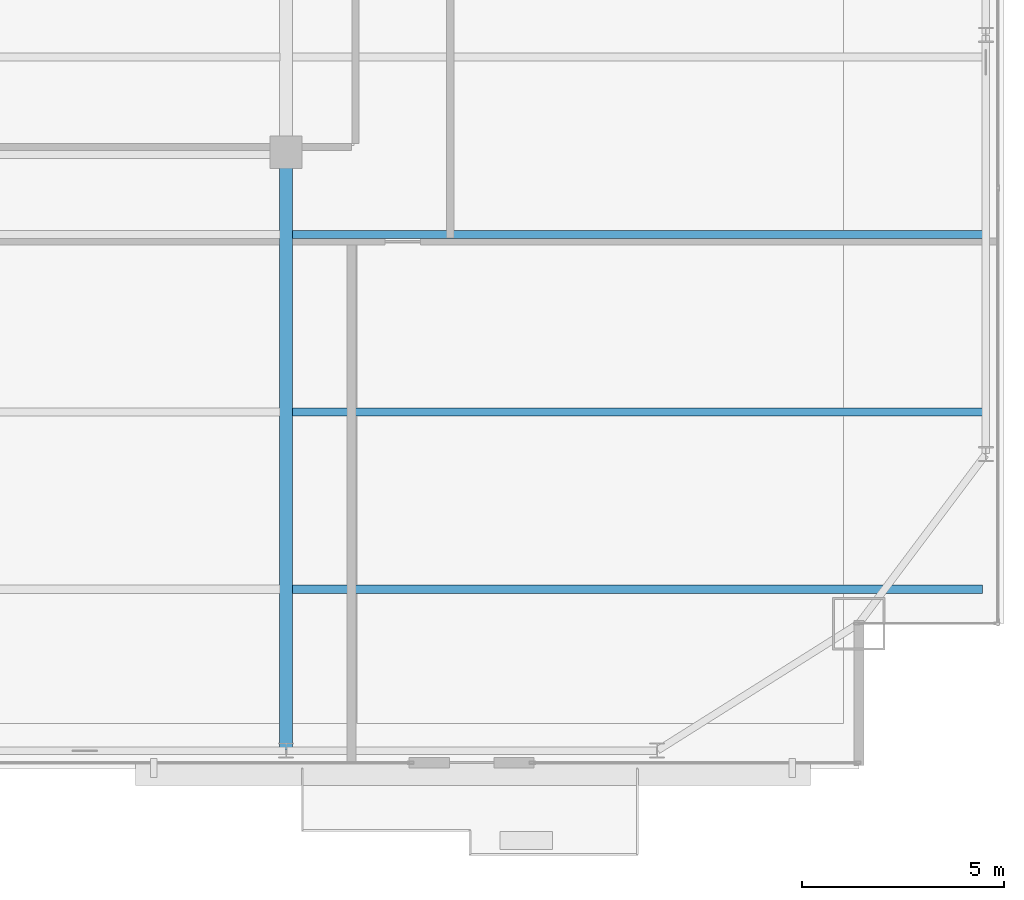
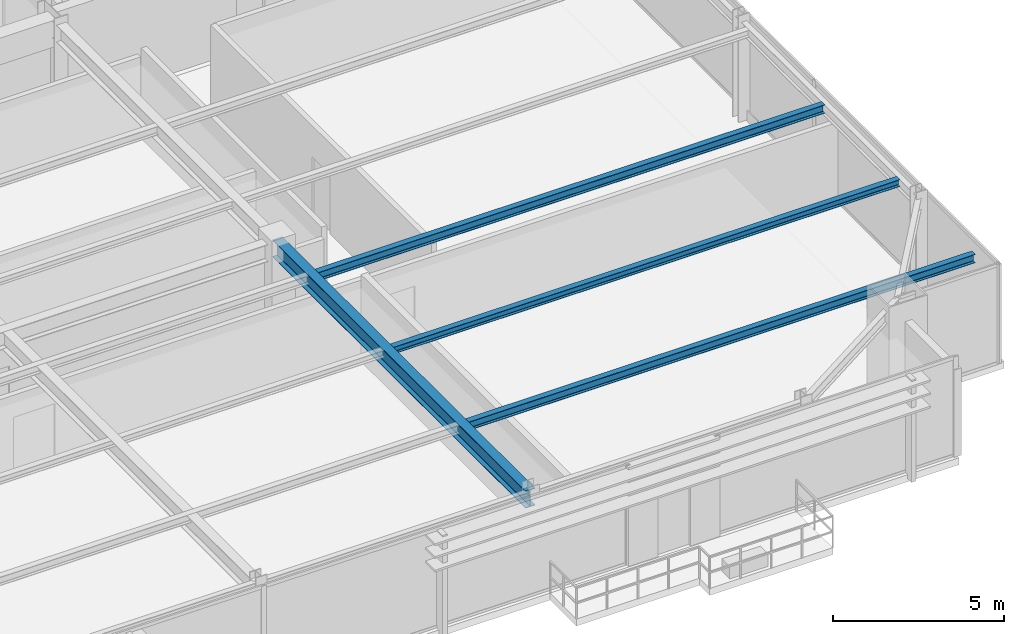
# One storey, part 15 of 31: 4 beams.
"""IFC4 building model written with IfcOpenShell, lengths in metres."""

from ifc_helpers import new_model, si_unit, direction, frame, origin, origin_2d, place, context, subcontext, project, spatial, i_section, extrude, source, transform, mapped, material, material_profile, profile_set, type_object, type_shapes, element, save


model = new_model("IFC4")

# Units and contexts
model_context = context("Model", 3, precision=1e-05, world=origin(), true_north=direction((0.0, 1.0)))
body_context = subcontext(model_context, "Body", "Model", "MODEL_VIEW")
ifc_project = project(units=[si_unit("LENGTHUNIT", "METRE"), si_unit("AREAUNIT", "SQUARE_METRE"), si_unit("VOLUMEUNIT", "CUBIC_METRE"), si_unit("PLANEANGLEUNIT", "RADIAN"), si_unit("MASSUNIT", "GRAM", prefix="KILO")], contexts=[model_context])

# Site, building, storey
site_placement = place(None, origin())
site = spatial("IfcSite", under=ifc_project, at=site_placement, CompositionType="ELEMENT")
building_placement = place(site_placement, origin())
building = spatial("IfcBuilding", under=site, at=building_placement, Name="Varnel Quay Broadcast Tower", CompositionType="ELEMENT")
storey_placement = place(building_placement, frame((0.0, 0.0, 153.39990234375)))
storey = spatial("IfcBuildingStorey", under=building, at=storey_placement, Name="L37", CompositionType="ELEMENT", Elevation=153.39990234375)

# Beams
ifc_material = material(Name="Structural Steel CSA G40.21 350W", Category="steel")
ifc_material_profile_1 = material_profile(ifc_material, i_section(OverallWidth=0.324951171875, OverallDepth=0.615966796875, WebThickness=0.013916015625, FlangeThickness=0.021484375, FilletRadius=0.01611328125, at=origin_2d()), Name="W610X174")
ifc_profile_set_1 = profile_set([ifc_material_profile_1], Name="Structural Steel CSA G40.21 350W")
beam_type_1 = type_object("IfcBeamType", Name="Girder_W610X174", PredefinedType="BEAM", material=ifc_profile_set_1)
shared_shape_1 = source(origin(), body_context, "Body", "SweptSolid", [
    extrude(i_section(OverallWidth=0.324951171875, OverallDepth=0.615966796875, WebThickness=0.013916015625, FlangeThickness=0.021484375, FilletRadius=0.01611328125, at=origin_2d()), origin(), (0.0, 0.0, 1.0), 14.800048828125),
])
type_shapes(beam_type_1, [shared_shape_1])
beam_1_placement = place(storey_placement, frame((43.199951171875, 7.669921875, 3.2421875), z_axis=(0.0, 1.0, 0.0), x_axis=(-1.0, 0.0, 0.0)))
element("IfcBeam", 1, at=beam_1_placement, inside=storey, type_object=beam_type_1, Name="L37 Primary Girder TC-S4-IC-02", PredefinedType="BEAM", context=body_context, shape_type="MappedRepresentation", body=[
    mapped(shared_shape_1, transform((0.0, 0.0, 0.0), x_axis=(1.0, 0.0, 0.0), y_axis=(0.0, 1.0, 0.0), z_axis=(0.0, 0.0, 1.0), scale=1.0)),
])
ifc_material_profile_2 = material_profile(ifc_material, i_section(OverallWidth=0.202880859375, OverallDepth=0.302978515625, WebThickness=0.007568359375, FlangeThickness=0.01318359375, FilletRadius=0.011962890625, at=origin_2d()), Name="W310X60")
ifc_profile_set_2 = profile_set([ifc_material_profile_2], Name="Structural Steel CSA G40.21 350W")
beam_type_2 = type_object("IfcBeamType", Name="Beam_W310X60", PredefinedType="JOIST", material=ifc_profile_set_2)
shared_shape_2 = source(origin(), body_context, "Body", "SweptSolid", [
    extrude(i_section(OverallWidth=0.202880859375, OverallDepth=0.302978515625, WebThickness=0.007568359375, FlangeThickness=0.01318359375, FilletRadius=0.011962890625, at=origin_2d()), origin(), (0.0, 0.0, 1.0), 17.107177734375),
])
type_shapes(beam_type_2, [shared_shape_2])
for number, where, z_axis, x_axis, name in (
    (2, (43.357421875, 11.64990234375, 3.398681640625), (1.0, 0.0, 0.0), (0.0, 1.0, 0.0), "L37 East Floor Joist 1"),
    (3, (43.357421875, 20.449951171875, 3.398681640625), (1.0, 0.0, 0.0), (0.0, 1.0, 0.0), "L37 East Floor Joist 3"),
):
    element("IfcBeam", number, at=place(storey_placement, frame(where, z_axis=z_axis, x_axis=x_axis)), inside=storey, type_object=beam_type_2, Name=name, PredefinedType="JOIST", context=body_context, shape_type="MappedRepresentation", body=[
        mapped(shared_shape_2, transform((0.0, 0.0, 0.0), x_axis=(1.0, 0.0, 0.0), y_axis=(0.0, 1.0, 0.0), z_axis=(0.0, 0.0, 1.0), scale=1.0)),
    ])
ifc_material_profile_3 = material_profile(ifc_material, i_section(OverallWidth=0.201904296875, OverallDepth=0.2470703125, WebThickness=0.00732421875, FlangeThickness=0.010986328125, FilletRadius=0.010986328125, at=origin_2d()), Name="W250X49")
ifc_profile_set_3 = profile_set([ifc_material_profile_3], Name="Structural Steel CSA G40.21 350W")
beam_type_3 = type_object("IfcBeamType", Name="Beam_W250X49", PredefinedType="JOIST", material=ifc_profile_set_3)
shared_shape_3 = source(origin(), body_context, "Body", "SweptSolid", [
    extrude(i_section(OverallWidth=0.201904296875, OverallDepth=0.2470703125, WebThickness=0.00732421875, FlangeThickness=0.010986328125, FilletRadius=0.010986328125, at=origin_2d()), origin(), (0.0, 0.0, 1.0), 17.107177734375),
])
type_shapes(beam_type_3, [shared_shape_3])
beam_2_placement = place(storey_placement, frame((43.357421875, 16.050048828125, 3.426513671875), z_axis=(1.0, 0.0, 0.0), x_axis=(0.0, 1.0, 0.0)))
element("IfcBeam", 4, at=beam_2_placement, inside=storey, type_object=beam_type_3, Name="L37 East Floor Joist 2", PredefinedType="JOIST", context=body_context, shape_type="MappedRepresentation", body=[
    mapped(shared_shape_3, transform((0.0, 0.0, 0.0), x_axis=(1.0, 0.0, 0.0), y_axis=(0.0, 1.0, 0.0), z_axis=(0.0, 0.0, 1.0), scale=1.0)),
])

save(model, "model.ifc")
